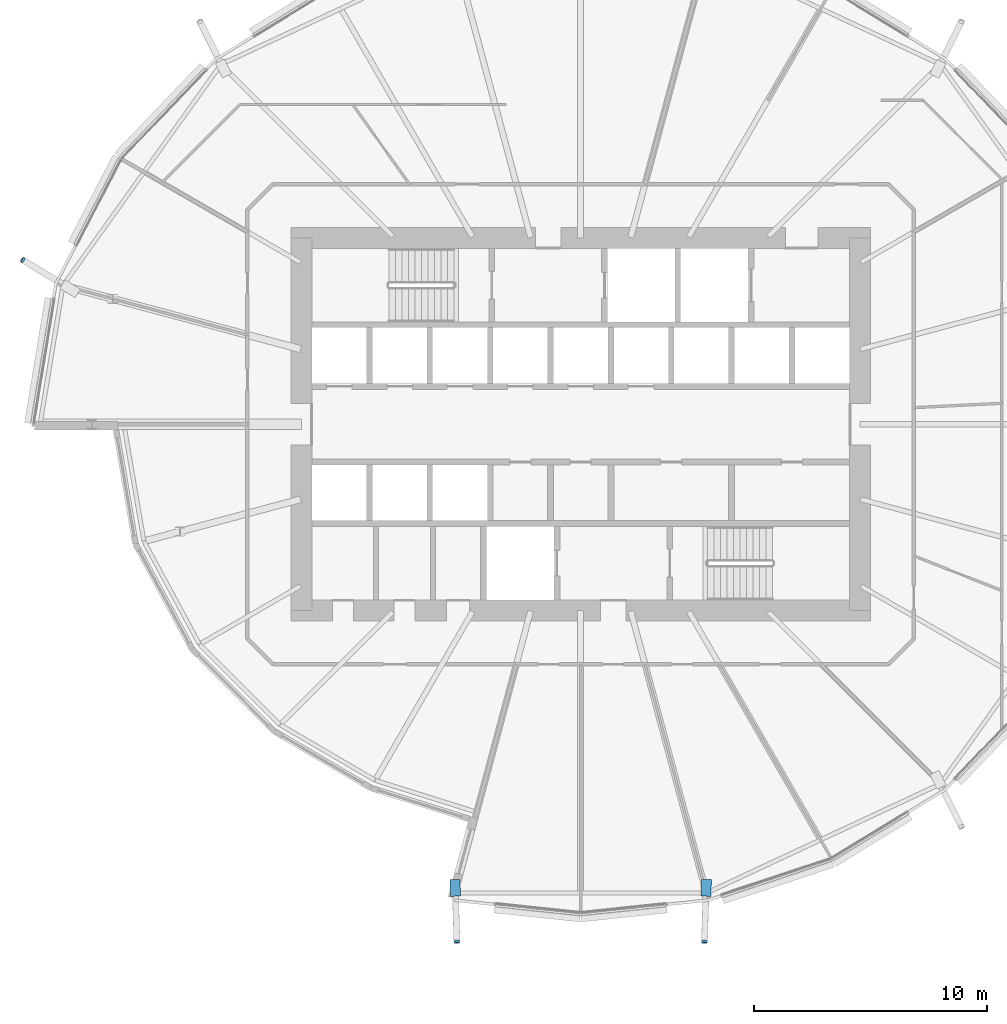
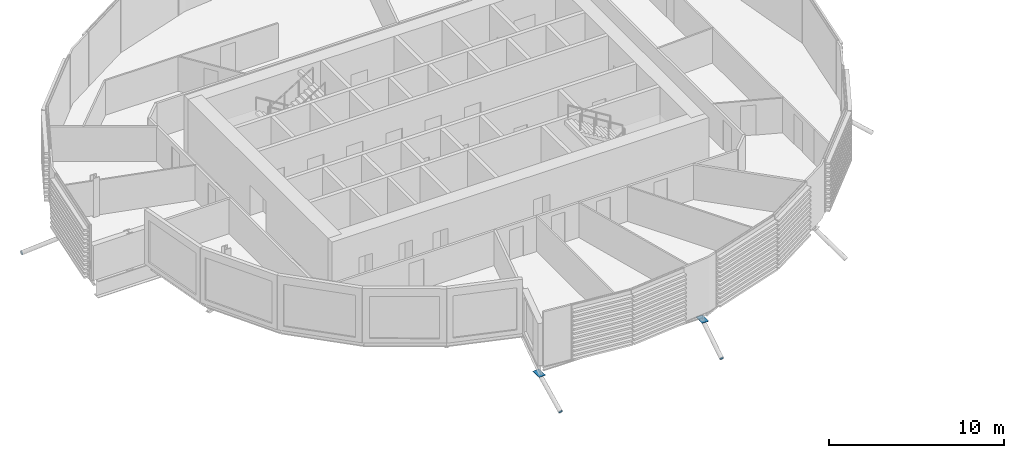
# One storey, part 27 of 38: 5 discrete accessories.
"""IFC4 building model written with IfcOpenShell, lengths in metres."""

from ifc_helpers import new_model, si_unit, direction, frame, origin, origin_2d, place, context, subcontext, project, spatial, polyline, rectangle, circle, outline, extrude, material, material_profile, profile_set, type_object, element, save


model = new_model("IFC4")

# Units and contexts
model_context = context("Model", 3, precision=1e-05, world=origin(), true_north=direction((0.0, 1.0)))
body_context = subcontext(model_context, "Body", "Model", "MODEL_VIEW")
ifc_project = project(units=[si_unit("LENGTHUNIT", "METRE"), si_unit("AREAUNIT", "SQUARE_METRE"), si_unit("VOLUMEUNIT", "CUBIC_METRE"), si_unit("PLANEANGLEUNIT", "RADIAN"), si_unit("MASSUNIT", "GRAM", prefix="KILO")], contexts=[model_context])

# Site, building, storey
site_placement = place(None, origin())
site = spatial("IfcSite", under=ifc_project, at=site_placement, CompositionType="ELEMENT")
building_placement = place(site_placement, origin())
building = spatial("IfcBuilding", under=site, at=building_placement, Name="Rimbun Link Towers", CompositionType="ELEMENT")
storey_placement = place(building_placement, frame((0.0, 0.0, 68.0)))
storey = spatial("IfcBuildingStorey", under=building, at=storey_placement, Name="L16", CompositionType="ELEMENT", Elevation=68.0)

# Discrete accessories
ifc_material_1 = material(Name="Steel S355J2H", Category="steel")
ifc_material_profile_1 = material_profile(ifc_material_1, circle(Radius=0.1240234375, at=origin_2d()), Name="PL D248")
ifc_profile_set_1 = profile_set([ifc_material_profile_1], Name="Steel S355J2H")
discrete_accessory_type_1 = type_object("IfcDiscreteAccessoryType", Name="Link foot sealing plate D248X20", PredefinedType="BRACKET", material=ifc_profile_set_1)
discrete_accessory_1_placement = place(storey_placement, frame((-55.7236328125, 7.052490234375, -2.2919921875), z_axis=(-0.760694275466, 0.47090598005, -0.446756955432), x_axis=(-0.526354614616, -0.850265146688, 0.0)))
element("IfcDiscreteAccessory", 1, at=discrete_accessory_1_placement, inside=storey, type_object=discrete_accessory_type_1, Name="Link foot sealing plate T1 L16 11", PredefinedType="BRACKET", context=body_context, shape_type="SweptSolid", body=[
    extrude(circle(Radius=0.1240234375, at=origin_2d()), origin(), (0.0, 0.0, 1.0), 0.020263671875),
])
for number, where, z_axis, x_axis, name in (
    (2, (-37.0712890625, -22.228759765625, -2.150146484375), (0.036788360369, -0.870657862069, -0.490511471588), (0.999108513517, 0.042215852684, 0.0), "Link foot sealing plate T1 L16 17"),
    (3, (-26.4287109375, -22.228759765625, -2.150146484375), (-0.036788360369, -0.870657862069, -0.490511471588), (0.999108513517, -0.042215852684, 0.0), "Link foot sealing plate T1 L16 19"),
):
    element("IfcDiscreteAccessory", number, at=place(storey_placement, frame(where, z_axis=z_axis, x_axis=x_axis)), inside=storey, type_object=discrete_accessory_type_1, Name=name, PredefinedType="BRACKET", context=body_context, shape_type="SweptSolid", body=[
        extrude(circle(Radius=0.1240234375, at=origin_2d()), origin(), (0.0, 0.0, 1.0), 0.02001953125),
    ])
ifc_material_2 = material(Name="Steel S355J2H", Category="steel")
ifc_material_profile_2 = material_profile(ifc_material_2, rectangle(XDim=0.43310546875, YDim=0.43310546875, at=origin_2d()), Name="PL 433x433")
ifc_profile_set_2 = profile_set([ifc_material_profile_2], Name="Steel S355J2H")
discrete_accessory_type_2 = type_object("IfcDiscreteAccessoryType", Name="Link head end plate 433X20", PredefinedType="BRACKET", material=ifc_profile_set_2)
discrete_accessory_2_placement = place(storey_placement, frame((0.0, 0.0, -0.863525390625)))
element("IfcDiscreteAccessory", 4, at=discrete_accessory_2_placement, inside=storey, type_object=discrete_accessory_type_2, Name="Link head end plate T1 L16 17", PredefinedType="BRACKET", context=body_context, shape_type="SweptSolid", body=[
    extrude(outline(polyline([(-37.371337890625, -19.579833984375), (-37.3486328125, -20.29833984375), (-36.916015625, -20.28466796875), (-36.938720703125, -19.56640625), (-37.371337890625, -19.579833984375)])), origin(), (0.0, 0.0, 1.0), 0.02001953125),
])
discrete_accessory_3_placement = place(storey_placement, frame((0.0, 0.0, -0.863525390625)))
element("IfcDiscreteAccessory", 5, at=discrete_accessory_3_placement, inside=storey, type_object=discrete_accessory_type_2, Name="Link head end plate T1 L16 19", PredefinedType="BRACKET", context=body_context, shape_type="SweptSolid", body=[
    extrude(outline(polyline([(-26.561279296875, -19.56640625), (-26.583984375, -20.28466796875), (-26.1513671875, -20.29833984375), (-26.128662109375, -19.579833984375), (-26.561279296875, -19.56640625)])), origin(), (0.0, 0.0, 1.0), 0.02001953125),
])

save(model, "model.ifc")
